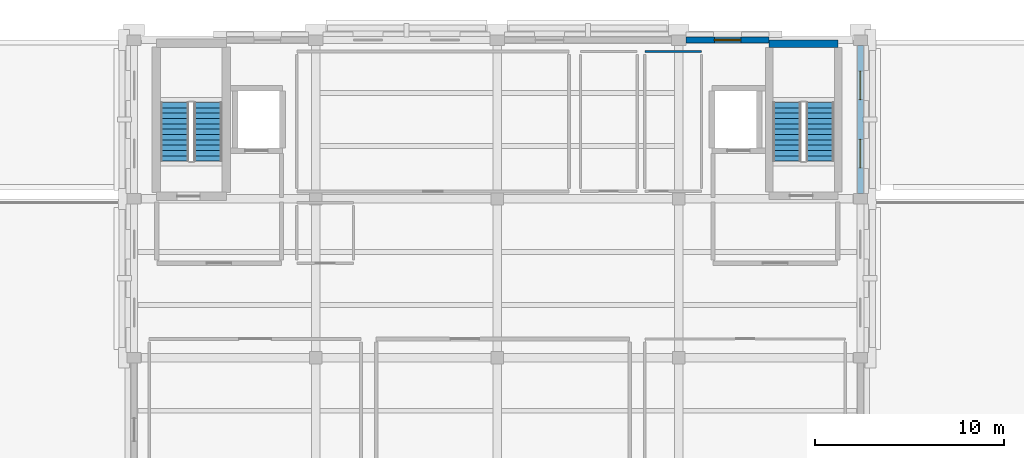
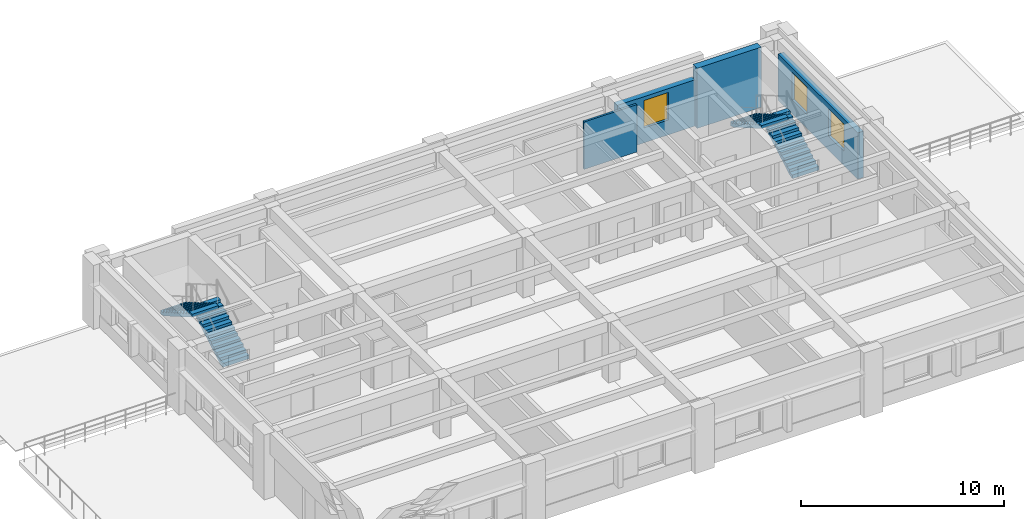
# One storey, part 4 of 7: 4 stair flights, 4 walls, 3 windows, 3 openings, 2 elements without a shape of their own.
"""IFC4 building model written with IfcOpenShell, lengths in metres."""

from ifc_helpers import new_model, si_unit, direction, frame, frame_2d, origin, place, context, subcontext, project, spatial, polyline, rectangle, outline, extrude, material, layer, layer_set, type_object, element, fill, aggregate, save


model = new_model("IFC4")

# Units and contexts
model_context = context("Model", 3, precision=1e-05, world=origin(), true_north=direction((0.0, 1.0)))
body_context = subcontext(model_context, "Body", "Model", "MODEL_VIEW")
ifc_project = project(units=[si_unit("LENGTHUNIT", "METRE"), si_unit("AREAUNIT", "SQUARE_METRE"), si_unit("VOLUMEUNIT", "CUBIC_METRE"), si_unit("PLANEANGLEUNIT", "RADIAN"), si_unit("MASSUNIT", "GRAM", prefix="KILO")], contexts=[model_context])

# Site, building, storey
site_placement = place(None, origin())
site = spatial("IfcSite", under=ifc_project, at=site_placement, CompositionType="ELEMENT")
building_placement = place(site_placement, origin())
building = spatial("IfcBuilding", under=site, at=building_placement, Name="Bempovik Park Faculty of Sciences", CompositionType="ELEMENT")
storey_placement = place(building_placement, frame((0.0, 0.0, 38.39990234375)))
storey = spatial("IfcBuildingStorey", under=building, at=storey_placement, Name="L09", CompositionType="ELEMENT", Elevation=38.39990234375)

# Walls
ifc_material_1 = material(Name="Gypsum acoustic stud assembly")
ifc_layer_1 = layer(ifc_material_1, 0.1201171875)
ifc_layer_set_1 = layer_set([ifc_layer_1], Name="Gypsum acoustic stud assembly")
wall_type_1 = type_object("IfcWallType", Name="W-17 Wall 120mm", PredefinedType="PARTITIONING", material=ifc_layer_set_1)
wall_1_placement = place(storey_placement, frame((96.60009765625, 118.800048828125, 0.0), z_axis=(0.0, 0.0, 1.0), x_axis=(1.0, 0.0, 0.0)))
element("IfcWall", 1, at=wall_1_placement, inside=storey, type_object=wall_type_1, Name="L09 L09 Female WC Partition North", PredefinedType="PARTITIONING", context=body_context, shape_type="SweptSolid", body=[
    extrude(rectangle(XDim=3.0, YDim=0.1201171875, at=frame_2d((1.5, 0.0))), origin(), (0.0, 0.0, 1.0), 2.85009765625),
])
ifc_material_2 = material(Name="Concrete C40/50", Category="concrete")
ifc_layer_2 = layer(ifc_material_2, 0.39990234375)
ifc_layer_set_2 = layer_set([ifc_layer_2], Name="Concrete C40/50")
wall_type_2 = type_object("IfcWallType", Name="W-47 Wall 400mm", PredefinedType="SHEAR", material=ifc_layer_set_2)
wall_2_placement = place(storey_placement, frame((103.175048828125, 119.199951171875, 0.0), z_axis=(0.0, 0.0, 1.0), x_axis=(1.0, 0.0, 0.0)))
element("IfcWall", 2, at=wall_2_placement, inside=storey, type_object=wall_type_2, Name="ST-2 L09 Core Shear Wall North", PredefinedType="SHEAR", context=body_context, shape_type="SweptSolid", body=[
    extrude(rectangle(XDim=3.64990234375, YDim=0.39990234375, at=frame_2d((1.824951171875, 0.0))), origin(), (0.0, 0.0, 1.0), 3.6201171875),
])

# Wall, openings, windows
ifc_material_3 = material(Name="Precast concrete C40/50", Category="concrete")
ifc_layer_3 = layer(ifc_material_3, 0.320068359375)
ifc_layer_set_3 = layer_set([ifc_layer_3], Name="Precast concrete C40/50")
wall_type_3 = type_object("IfcWallType", Name="W-56 Wall 320mm", PredefinedType="SOLIDWALL", material=ifc_layer_set_3)
wall_3_placement = place(storey_placement, frame((108.0, 111.277099609375, 0.0), z_axis=(0.0, 0.0, 1.0), x_axis=(0.0, 1.0, 0.0)))
wall_3 = element("IfcWall", 3, at=wall_3_placement, inside=storey, type_object=wall_type_3, Name="L09 Classical Precast Facade Wall EW-L09-11017", PredefinedType="SOLIDWALL", context=body_context, shape_type="SweptSolid", body=[
    extrude(rectangle(XDim=7.845947265625, YDim=0.320068359375, at=frame_2d((3.9228515625, 0.0))), origin(), (0.0, 0.0, 1.0), 2.780029296875),
])
opening_1_placement = place(wall_3_placement, frame((1.368408203125, 0.0, 0.85009765625)))
opening_1 = element("IfcOpeningElement", 4, at=opening_1_placement, cuts=wall_3, Name="Opening WN-46", PredefinedType="OPENING", context=body_context, shape_type="SweptSolid", body=[
    extrude(rectangle(XDim=1.5, YDim=1.64990234375, at=frame_2d((0.75, 0.824951171875))), frame((0.0, 0.169921875, 0.0), z_axis=(0.0, -1.0, 0.0), x_axis=(1.0, 0.0, 0.0)), (0.0, 0.0, 1.0), 0.340087890625),
])
opening_2_placement = place(wall_3_placement, frame((4.9775390625, 0.0, 0.85009765625)))
opening_2 = element("IfcOpeningElement", 5, at=opening_2_placement, cuts=wall_3, Name="Opening WN-46", PredefinedType="OPENING", context=body_context, shape_type="SweptSolid", body=[
    extrude(rectangle(XDim=1.5, YDim=1.64990234375, at=frame_2d((0.75, 0.824951171875))), frame((0.0, 0.169921875, 0.0), z_axis=(0.0, -1.0, 0.0), x_axis=(1.0, 0.0, 0.0)), (0.0, 0.0, 1.0), 0.340087890625),
])
ifc_material_4 = material(Name="Tempered laminated low-E glass", Category="glass")
window_type_1 = type_object("IfcWindowType", Name="WN-46 Window 1500x1650", PartitioningType="SINGLE_PANEL", PredefinedType="WINDOW", material=ifc_material_4)
window_1_placement = place(opening_1_placement, origin())
window_1 = element("IfcWindow", 6, at=window_1_placement, inside=storey, type_object=window_type_1, Name="L09 Window EW-L09-11017-1", OverallHeight=1.64990234375, OverallWidth=1.5, PartitioningType="SINGLE_PANEL", PredefinedType="WINDOW", context=body_context, shape_type="SweptSolid", body=[
    extrude(rectangle(XDim=1.5, YDim=1.64990234375, at=frame_2d((0.75, 0.824951171875))), frame((0.0, 0.030029296875, 0.0), z_axis=(0.0, -1.0, 0.0), x_axis=(1.0, 0.0, 0.0)), (0.0, 0.0, 1.0), 0.06005859375),
])
fill(opening_1, window_1)
window_2_placement = place(opening_2_placement, origin())
window_2 = element("IfcWindow", 7, at=window_2_placement, inside=storey, type_object=window_type_1, Name="L09 Window EW-L09-11017-2", OverallHeight=1.64990234375, OverallWidth=1.5, PartitioningType="SINGLE_PANEL", PredefinedType="WINDOW", context=body_context, shape_type="SweptSolid", body=[
    extrude(rectangle(XDim=1.5, YDim=1.64990234375, at=frame_2d((0.75, 0.824951171875))), frame((0.0, 0.030029296875, 0.0), z_axis=(0.0, -1.0, 0.0), x_axis=(1.0, 0.0, 0.0)), (0.0, 0.0, 1.0), 0.06005859375),
])
fill(opening_2, window_2)

# Wall, opening, window
wall_4_placement = place(storey_placement, frame((98.777099609375, 119.39990234375, 0.0), z_axis=(0.0, 0.0, 1.0), x_axis=(1.0, 0.0, 0.0)))
wall_4 = element("IfcWall", 8, at=wall_4_placement, inside=storey, type_object=wall_type_3, Name="L09 Classical Precast Facade Wall EW-L09-11058", PredefinedType="SOLIDWALL", context=body_context, shape_type="SweptSolid", body=[
    extrude(rectangle(XDim=4.39697265625, YDim=0.320068359375, at=frame_2d((2.198486328125, 0.0))), origin(), (0.0, 0.0, 1.0), 2.780029296875),
])
opening_3_placement = place(wall_4_placement, frame((1.49853515625, 0.0, 0.89990234375)))
opening_3 = element("IfcOpeningElement", 9, at=opening_3_placement, cuts=wall_4, Name="Opening WN-84", PredefinedType="OPENING", context=body_context, shape_type="SweptSolid", body=[
    extrude(rectangle(XDim=1.39990234375, YDim=1.64990234375, at=frame_2d((0.699951171875, 0.824951171875))), frame((0.0, 0.169921875, 0.0), z_axis=(0.0, -1.0, 0.0), x_axis=(1.0, 0.0, 0.0)), (0.0, 0.0, 1.0), 0.340087890625),
])
window_type_2 = type_object("IfcWindowType", Name="WN-84 Window 1400x1650", PartitioningType="SINGLE_PANEL", PredefinedType="WINDOW", material=ifc_material_4)
window_3_placement = place(opening_3_placement, origin())
window_3 = element("IfcWindow", 10, at=window_3_placement, inside=storey, type_object=window_type_2, Name="L09 Stairwell Classical Lancet Window EW-L09-11058", OverallHeight=1.64990234375, OverallWidth=1.39990234375, PartitioningType="SINGLE_PANEL", PredefinedType="WINDOW", context=body_context, shape_type="SweptSolid", body=[
    extrude(rectangle(XDim=1.39990234375, YDim=1.64990234375, at=frame_2d((0.699951171875, 0.824951171875))), frame((0.0, 0.030029296875, 0.0), z_axis=(0.0, -1.0, 0.0), x_axis=(1.0, 0.0, 0.0)), (0.0, 0.0, 1.0), 0.06005859375),
])
fill(opening_3, window_3)

# Stair, stair flights
ifc_material_5 = material(Name="Concrete C35/45", Category="concrete")
stair_type = type_object("IfcStairType", Name="ST-17 Stair W1500 H3900", PredefinedType="HALF_TURN_STAIR", material=ifc_material_5)
stair_1_placement = place(storey_placement, origin())
stair_1 = element("IfcStair", 11, at=stair_1_placement, inside=storey, type_object=stair_type, Name="L09 ST-1 Dog-Leg Exit Stair", PredefinedType="HALF_TURN_STAIR")
stair_flight_type = type_object("IfcStairFlightType", Name="FL-16 Flight W1500 H3900", PredefinedType="STRAIGHT", material=ifc_material_5)
stair_flight_1_placement = place(storey_placement, frame((73.5, 113.0, 0.0), z_axis=(0.0, 0.0, 1.0), x_axis=(0.0, 1.0, 0.0)))
stair_flight_1 = element("IfcStairFlight", 12, at=stair_flight_1_placement, type_object=stair_flight_type, Name="ST-17 flight 1", NumberOfRisers=12, NumberOfTreads=11, PredefinedType="STRAIGHT", RiserHeight=0.1625, TreadLength=0.28125, context=body_context, shape_type="SweptSolid", body=[
    extrude(outline(polyline([(0.0, 0.0), (0.0, 0.16259765625), (0.28125, 0.16259765625), (0.28125, 0.324951171875), (0.5625, 0.324951171875), (0.5625, 0.487548828125), (0.84375, 0.487548828125), (0.84375, 0.64990234375), (1.125, 0.64990234375), (1.125, 0.8125), (1.40625, 0.8125), (1.40625, 0.97509765625), (1.6875, 0.97509765625), (1.6875, 1.137451171875), (1.96875, 1.137451171875), (1.96875, 1.300048828125), (2.25, 1.300048828125), (2.25, 1.46240234375), (2.53125, 1.46240234375), (2.53125, 1.625), (2.8125, 1.625), (2.8125, 1.78759765625), (3.09375, 1.78759765625), (3.09375, 1.949951171875), (3.09375, 1.6142578125), (0.299560546875, 0.0), (0.0625, -0.0625), (0.0, -0.0625), (0.0, 0.0)])), frame((0.0, 0.75, 0.0), z_axis=(0.0, -1.0, 0.0), x_axis=(1.0, 0.0, 0.0)), (0.0, 0.0, 1.0), 1.5),
])
stair_flight_2_placement = place(storey_placement, frame((71.75, 116.09375, 1.9501953125), z_axis=(0.0, 0.0, 1.0), x_axis=(0.0, -1.0, 0.0)))
stair_flight_2 = element("IfcStairFlight", 13, at=stair_flight_2_placement, type_object=stair_flight_type, Name="ST-17 flight 2", NumberOfRisers=12, NumberOfTreads=11, PredefinedType="STRAIGHT", RiserHeight=0.1625, TreadLength=0.28125, context=body_context, shape_type="SweptSolid", body=[
    extrude(outline(polyline([(0.0, 0.0), (0.0, 0.16259765625), (0.28125, 0.16259765625), (0.28125, 0.324951171875), (0.5625, 0.324951171875), (0.5625, 0.487548828125), (0.84375, 0.487548828125), (0.84375, 0.64990234375), (1.125, 0.64990234375), (1.125, 0.8125), (1.40625, 0.8125), (1.40625, 0.97509765625), (1.6875, 0.97509765625), (1.6875, 1.137451171875), (1.96875, 1.137451171875), (1.96875, 1.300048828125), (2.25, 1.300048828125), (2.25, 1.46240234375), (2.53125, 1.46240234375), (2.53125, 1.625), (2.8125, 1.625), (2.8125, 1.78759765625), (3.09375, 1.78759765625), (3.09375, 1.949951171875), (3.09375, 1.6142578125), (0.299560546875, 0.0), (0.0625, -0.0625), (0.0, -0.0625), (0.0, 0.0)])), frame((0.0, 0.75, 0.0), z_axis=(0.0, -1.0, 0.0), x_axis=(1.0, 0.0, 0.0)), (0.0, 0.0, 1.0), 1.5),
])
aggregate(stair_1, [stair_flight_1, stair_flight_2])

stair_2_placement = place(storey_placement, origin())
stair_2 = element("IfcStair", 14, at=stair_2_placement, inside=storey, type_object=stair_type, Name="L09 ST-2 Dog-Leg Exit Stair", PredefinedType="HALF_TURN_STAIR")
stair_flight_3_placement = place(storey_placement, frame((105.875, 113.0, 0.0), z_axis=(0.0, 0.0, 1.0), x_axis=(0.0, 1.0, 0.0)))
stair_flight_3 = element("IfcStairFlight", 15, at=stair_flight_3_placement, type_object=stair_flight_type, Name="ST-17 flight 1", NumberOfRisers=12, NumberOfTreads=11, PredefinedType="STRAIGHT", RiserHeight=0.1625, TreadLength=0.28125, context=body_context, shape_type="SweptSolid", body=[
    extrude(outline(polyline([(0.0, 0.0), (0.0, 0.16259765625), (0.28125, 0.16259765625), (0.28125, 0.324951171875), (0.5625, 0.324951171875), (0.5625, 0.487548828125), (0.84375, 0.487548828125), (0.84375, 0.64990234375), (1.125, 0.64990234375), (1.125, 0.8125), (1.40625, 0.8125), (1.40625, 0.97509765625), (1.6875, 0.97509765625), (1.6875, 1.137451171875), (1.96875, 1.137451171875), (1.96875, 1.300048828125), (2.25, 1.300048828125), (2.25, 1.46240234375), (2.53125, 1.46240234375), (2.53125, 1.625), (2.8125, 1.625), (2.8125, 1.78759765625), (3.09375, 1.78759765625), (3.09375, 1.949951171875), (3.09375, 1.6142578125), (0.299560546875, 0.0), (0.0625, -0.0625), (0.0, -0.0625), (0.0, 0.0)])), frame((0.0, 0.75, 0.0), z_axis=(0.0, -1.0, 0.0), x_axis=(1.0, 0.0, 0.0)), (0.0, 0.0, 1.0), 1.5),
])
stair_flight_4_placement = place(storey_placement, frame((104.125, 116.09375, 1.9501953125), z_axis=(0.0, 0.0, 1.0), x_axis=(0.0, -1.0, 0.0)))
stair_flight_4 = element("IfcStairFlight", 16, at=stair_flight_4_placement, type_object=stair_flight_type, Name="ST-17 flight 2", NumberOfRisers=12, NumberOfTreads=11, PredefinedType="STRAIGHT", RiserHeight=0.1625, TreadLength=0.28125, context=body_context, shape_type="SweptSolid", body=[
    extrude(outline(polyline([(0.0, 0.0), (0.0, 0.16259765625), (0.28125, 0.16259765625), (0.28125, 0.324951171875), (0.5625, 0.324951171875), (0.5625, 0.487548828125), (0.84375, 0.487548828125), (0.84375, 0.64990234375), (1.125, 0.64990234375), (1.125, 0.8125), (1.40625, 0.8125), (1.40625, 0.97509765625), (1.6875, 0.97509765625), (1.6875, 1.137451171875), (1.96875, 1.137451171875), (1.96875, 1.300048828125), (2.25, 1.300048828125), (2.25, 1.46240234375), (2.53125, 1.46240234375), (2.53125, 1.625), (2.8125, 1.625), (2.8125, 1.78759765625), (3.09375, 1.78759765625), (3.09375, 1.949951171875), (3.09375, 1.6142578125), (0.299560546875, 0.0), (0.0625, -0.0625), (0.0, -0.0625), (0.0, 0.0)])), frame((0.0, 0.75, 0.0), z_axis=(0.0, -1.0, 0.0), x_axis=(1.0, 0.0, 0.0)), (0.0, 0.0, 1.0), 1.5),
])
aggregate(stair_2, [stair_flight_3, stair_flight_4])

save(model, "model.ifc")
